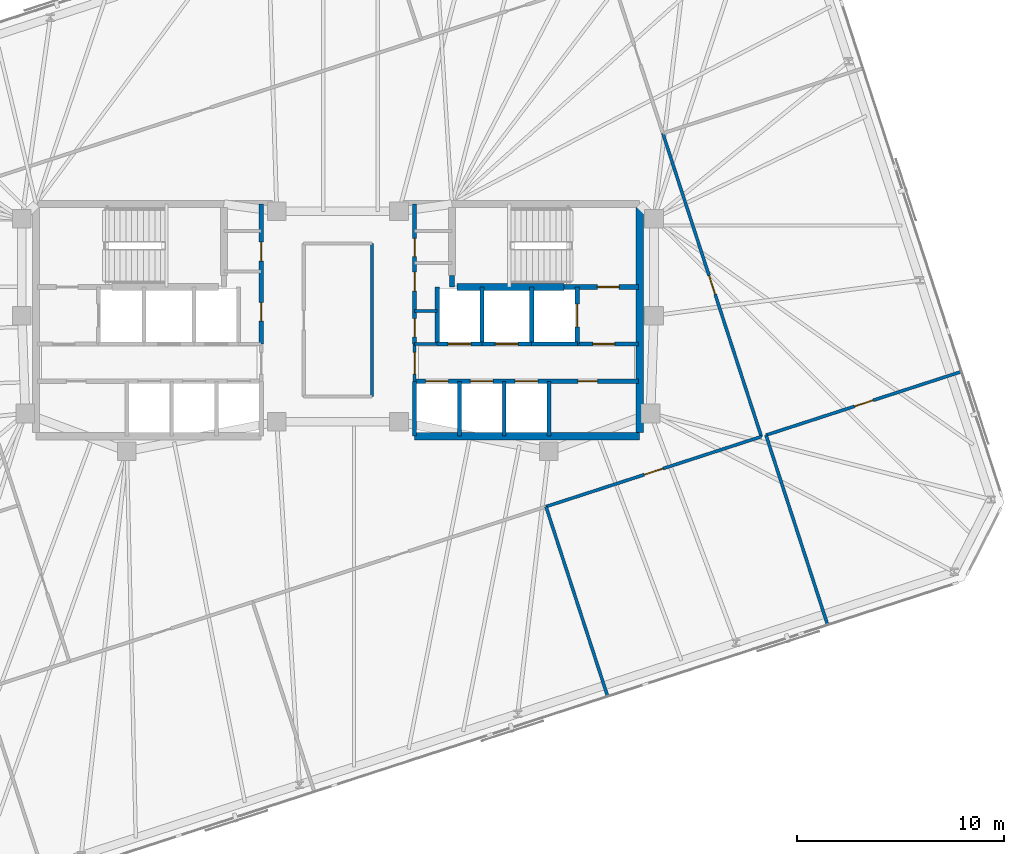
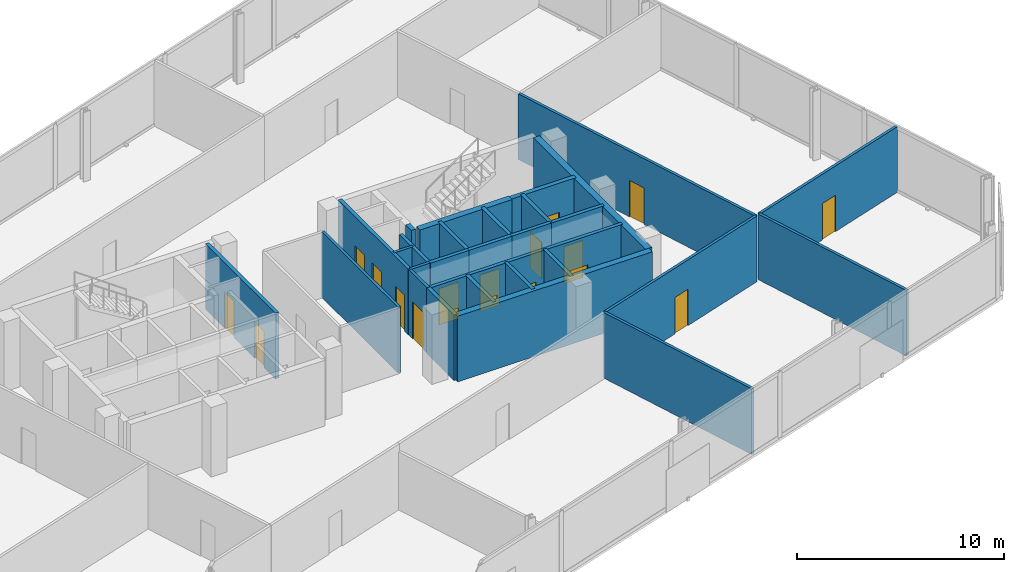
# One storey, part 11 of 14: 29 walls, 18 doors, 18 openings.
"""IFC4 building model written with IfcOpenShell, lengths in metres."""

from ifc_helpers import new_model, si_unit, direction, frame, frame_2d, origin, place, context, subcontext, project, spatial, rectangle, extrude, material, layer, layer_set, type_object, element, fill, save


model = new_model("IFC4")

# Units and contexts
model_context = context("Model", 3, precision=1e-05, world=origin(), true_north=direction((0.0, 1.0)))
body_context = subcontext(model_context, "Body", "Model", "MODEL_VIEW")
ifc_project = project(units=[si_unit("LENGTHUNIT", "METRE"), si_unit("AREAUNIT", "SQUARE_METRE"), si_unit("VOLUMEUNIT", "CUBIC_METRE"), si_unit("PLANEANGLEUNIT", "RADIAN"), si_unit("MASSUNIT", "GRAM", prefix="KILO")], contexts=[model_context])

# Site, building, storey
site_placement = place(None, origin())
site = spatial("IfcSite", under=ifc_project, at=site_placement, CompositionType="ELEMENT")
building_placement = place(site_placement, origin())
building = spatial("IfcBuilding", under=site, at=building_placement, Name="Menara Jurai Vektor", CompositionType="ELEMENT")
storey_placement = place(building_placement, frame((0.0, 0.0, 206.800048828125)))
storey = spatial("IfcBuildingStorey", under=building, at=storey_placement, Name="L54", CompositionType="ELEMENT", Elevation=206.800048828125)

# Wall, opening, door
ifc_material_1 = material(Name="Concrete C40/50", Category="concrete")
ifc_layer_1 = layer(ifc_material_1, 0.25)
ifc_layer_set_1 = layer_set([ifc_layer_1], Name="Concrete C40/50")
wall_type_1 = type_object("IfcWallType", Name="INT-WALL-CORE-250", PredefinedType="STANDARD", material=ifc_layer_set_1)
wall_1_placement = place(storey_placement, frame((10.89990234375, 1.60009765625, 0.0), z_axis=(0.0, 0.0, 1.0), x_axis=(1.0, 0.0, 0.0)))
wall_1 = element("IfcWall", 1, at=wall_1_placement, inside=storey, type_object=wall_type_1, Name="Interior Wall IW-250 L54", PredefinedType="STANDARD", context=body_context, shape_type="SweptSolid", body=[
    extrude(rectangle(XDim=3.60009765625, YDim=0.25, at=frame_2d((1.800048828125, 0.0))), origin(), (0.0, 0.0, 1.0), 3.875),
])
opening_1_placement = place(wall_1_placement, frame((1.6201171875, 0.0, 0.0)))
opening_1 = element("IfcOpeningElement", 2, at=opening_1_placement, cuts=wall_1, Name="Opening D-L54-ST2", PredefinedType="OPENING", context=body_context, shape_type="SweptSolid", body=[
    extrude(rectangle(XDim=1.050048828125, YDim=2.14990234375, at=frame_2d((0.52490234375, 1.074951171875))), frame((0.0, 0.135009765625, 0.0), z_axis=(0.0, -1.0, 0.0), x_axis=(1.0, 0.0, 0.0)), (0.0, 0.0, 1.0), 0.27001953125),
])
ifc_material_2 = material(Name="Fire-Rated Steel Door", Category="steel")
door_type_1 = type_object("IfcDoorType", Name="DR-STAIR-1050", OperationType="NOTDEFINED", PredefinedType="DOOR", material=ifc_material_2)
door_1_placement = place(opening_1_placement, origin())
door_1 = element("IfcDoor", 3, at=door_1_placement, inside=storey, type_object=door_type_1, Name="Exit Stair ST2 Door L54", OperationType="SINGLE_SWING_LEFT", OverallHeight=2.14990234375, OverallWidth=1.050048828125, PredefinedType="DOOR", context=body_context, shape_type="SweptSolid", body=[
    extrude(rectangle(XDim=1.050048828125, YDim=2.14990234375, at=frame_2d((0.52490234375, 1.074951171875))), frame((0.0, 0.02490234375, 0.0), z_axis=(0.0, -1.0, 0.0), x_axis=(1.0, 0.0, 0.0)), (0.0, 0.0, 1.0), 0.050048828125),
])
fill(opening_1, door_1)

# Wall
wall_2_placement = place(storey_placement, frame((5.5, 1.60009765625, 0.0), z_axis=(0.0, 0.0, 1.0), x_axis=(0.0, 1.0, 0.0)))
element("IfcWall", 4, at=wall_2_placement, inside=storey, type_object=wall_type_1, Name="Interior Wall IW-250 L54", PredefinedType="STANDARD", context=body_context, shape_type="SweptSolid", body=[
    extrude(rectangle(XDim=0.5498046875, YDim=0.25, at=frame_2d((0.27490234375, 0.0))), origin(), (0.0, 0.0, 1.0), 3.875),
])

# Wall, opening, door
wall_3_placement = place(storey_placement, frame((11.550048828125, -1.14990234375, 0.0), z_axis=(0.0, 0.0, 1.0), x_axis=(0.0, 1.0, 0.0)))
wall_3 = element("IfcWall", 5, at=wall_3_placement, inside=storey, type_object=wall_type_1, Name="Interior Wall IW-250 L54", PredefinedType="STANDARD", context=body_context, shape_type="SweptSolid", body=[
    extrude(rectangle(XDim=2.75, YDim=0.199951171875, at=frame_2d((1.375, 0.0))), origin(), (0.0, 0.0, 1.0), 3.875),
])
opening_2_placement = place(wall_3_placement, frame((0.824951171875, 0.0, 0.0)))
opening_2 = element("IfcOpeningElement", 6, at=opening_2_placement, cuts=wall_3, Name="Opening LD-L54-FL2", PredefinedType="OPENING", context=body_context, shape_type="SweptSolid", body=[
    extrude(rectangle(XDim=1.10009765625, YDim=2.14990234375, at=frame_2d((0.550048828125, 1.074951171875))), frame((0.0, 0.10986328125, 0.0), z_axis=(0.0, -1.0, 0.0), x_axis=(1.0, 0.0, 0.0)), (0.0, 0.0, 1.0), 0.219970703125),
])
ifc_material_3 = material(Name="Stainless Steel Sliding Lift Landing Door", Category="steel")
door_type_2 = type_object("IfcDoorType", Name="DR-LIFT-FIRE-1100", OperationType="NOTDEFINED", PredefinedType="DOOR", material=ifc_material_3)
door_2_placement = place(opening_2_placement, origin())
door_2 = element("IfcDoor", 7, at=door_2_placement, inside=storey, type_object=door_type_2, Name="Lift Landing Door FL2 L54", OperationType="SLIDING_TO_RIGHT", OverallHeight=2.14990234375, OverallWidth=1.10009765625, PredefinedType="DOOR", context=body_context, shape_type="SweptSolid", body=[
    extrude(rectangle(XDim=1.10009765625, YDim=2.14990234375, at=frame_2d((0.550048828125, 1.074951171875))), frame((0.0, 0.02490234375, 0.0), z_axis=(0.0, -1.0, 0.0), x_axis=(1.0, 0.0, 0.0)), (0.0, 0.0, 1.0), 0.050048828125),
])
fill(opening_2, door_2)

# Wall
wall_4_placement = place(storey_placement, frame((9.35009765625, -1.14990234375, 0.0), z_axis=(0.0, 0.0, 1.0), x_axis=(0.0, 1.0, 0.0)))
element("IfcWall", 8, at=wall_4_placement, inside=storey, type_object=wall_type_1, Name="Interior Wall IW-250 L54", PredefinedType="STANDARD", context=body_context, shape_type="SweptSolid", body=[
    extrude(rectangle(XDim=2.75, YDim=0.199951171875, at=frame_2d((1.375, 0.0))), origin(), (0.0, 0.0, 1.0), 3.875),
])

# Wall, opening, door
wall_5_placement = place(storey_placement, frame((11.550048828125, -1.14990234375, 0.0), z_axis=(0.0, 0.0, 1.0), x_axis=(1.0, 0.0, 0.0)))
wall_5 = element("IfcWall", 9, at=wall_5_placement, inside=storey, type_object=wall_type_1, Name="Interior Wall IW-250 L54", PredefinedType="STANDARD", context=body_context, shape_type="SweptSolid", body=[
    extrude(rectangle(XDim=2.949951171875, YDim=0.199951171875, at=frame_2d((1.47509765625, 0.0))), origin(), (0.0, 0.0, 1.0), 3.875),
])
opening_3_placement = place(wall_5_placement, frame((0.75, 0.0, 0.0)))
opening_3 = element("IfcOpeningElement", 10, at=opening_3_placement, cuts=wall_5, Name="Opening D-L54-FFE", PredefinedType="OPENING", context=body_context, shape_type="SweptSolid", body=[
    extrude(rectangle(XDim=1.050048828125, YDim=2.179931640625, at=frame_2d((0.52490234375, 1.08984375))), frame((0.0, 0.10986328125, 0.0), z_axis=(0.0, -1.0, 0.0), x_axis=(1.0, 0.0, 0.0)), (0.0, 0.0, 1.0), 0.219970703125),
])
ifc_material_4 = material(Name="Fire-Rated Timber Door", Category="wood")
door_type_3 = type_object("IfcDoorType", Name="DR-LOBBY-1050", OperationType="NOTDEFINED", PredefinedType="DOOR", material=ifc_material_4)
door_3_placement = place(opening_3_placement, origin())
door_3 = element("IfcDoor", 11, at=door_3_placement, inside=storey, type_object=door_type_3, Name="Fire Lift Lobby Door E L54", OperationType="SINGLE_SWING_LEFT", OverallHeight=2.179931640625, OverallWidth=1.050048828125, PredefinedType="DOOR", context=body_context, shape_type="SweptSolid", body=[
    extrude(rectangle(XDim=1.050048828125, YDim=2.179931640625, at=frame_2d((0.52490234375, 1.08984375))), frame((0.0, 0.02490234375, 0.0), z_axis=(0.0, -1.0, 0.0), x_axis=(1.0, 0.0, 0.0)), (0.0, 0.0, 1.0), 0.050048828125),
])
fill(opening_3, door_3)

# Wall
wall_6_placement = place(storey_placement, frame((9.35009765625, -1.14990234375, 0.0), z_axis=(0.0, 0.0, 1.0), x_axis=(1.0, 0.0, 0.0)))
element("IfcWall", 12, at=wall_6_placement, inside=storey, type_object=wall_type_1, Name="Interior Wall IW-250 L54", PredefinedType="STANDARD", context=body_context, shape_type="SweptSolid", body=[
    extrude(rectangle(XDim=2.199951171875, YDim=0.199951171875, at=frame_2d((1.10009765625, 0.0))), origin(), (0.0, 0.0, 1.0), 3.875),
])

# Wall, opening, door
ifc_material_5 = material(Name="Gypsum Fireboard Partition", Category="gypsum")
ifc_layer_2 = layer(ifc_material_5, 0.14990234375)
ifc_layer_set_2 = layer_set([ifc_layer_2], Name="Gypsum Fireboard Partition")
wall_type_2 = type_object("IfcWallType", Name="INT-WALL-CORR-150", PredefinedType="PARTITIONING", material=ifc_layer_set_2)
wall_7_placement = place(storey_placement, frame((3.699951171875, -2.949951171875, 0.0), z_axis=(0.0, 0.0, 1.0), x_axis=(0.0, 1.0, 0.0)))
wall_7 = element("IfcWall", 13, at=wall_7_placement, inside=storey, type_object=wall_type_2, Name="Interior Wall IW-150 L54", PredefinedType="PARTITIONING", context=body_context, shape_type="SweptSolid", body=[
    extrude(rectangle(XDim=1.800048828125, YDim=0.14990234375, at=frame_2d((0.89990234375, 0.0))), origin(), (0.0, 0.0, 1.0), 3.875),
])
opening_4_placement = place(wall_7_placement, frame((0.35009765625, 0.0, 0.0)))
opening_4 = element("IfcOpeningElement", 14, at=opening_4_placement, cuts=wall_7, Name="Opening D-L54-LLE", PredefinedType="OPENING", context=body_context, shape_type="SweptSolid", body=[
    extrude(rectangle(XDim=1.050048828125, YDim=2.179931640625, at=frame_2d((0.52490234375, 1.08984375))), frame((0.0, 0.0849609375, 0.0), z_axis=(0.0, -1.0, 0.0), x_axis=(1.0, 0.0, 0.0)), (0.0, 0.0, 1.0), 0.169921875),
])
door_4_placement = place(opening_4_placement, frame((1.050048828125, 0.0, 0.0), z_axis=(0.0, 0.0, 1.0), x_axis=(-1.0, 0.0, 0.0)))
door_4 = element("IfcDoor", 15, at=door_4_placement, inside=storey, type_object=door_type_3, Name="Lift Lobby Corridor Door E L54", OperationType="SINGLE_SWING_RIGHT", OverallHeight=2.179931640625, OverallWidth=1.050048828125, PredefinedType="DOOR", context=body_context, shape_type="SweptSolid", body=[
    extrude(rectangle(XDim=1.050048828125, YDim=2.179931640625, at=frame_2d((0.52490234375, 1.08984375))), frame((0.0, 0.02490234375, 0.0), z_axis=(0.0, -1.0, 0.0), x_axis=(1.0, 0.0, 0.0)), (0.0, 0.0, 1.0), 0.050048828125),
])
fill(opening_4, door_4)

# Walls
for number, where, z_axis, x_axis, name in (
    (16, (3.699951171875, -1.14990234375, 0.0), (0.0, 0.0, 1.0), (1.0, 0.0, 0.0), "Interior Wall IW-150 L54"),
    (17, (3.699951171875, 0.449951171875, 0.0), (0.0, 0.0, 1.0), (1.0, 0.0, 0.0), "Interior Wall IW-150 L54"),
):
    element("IfcWall", number, at=place(storey_placement, frame(where, z_axis=z_axis, x_axis=x_axis)), inside=storey, type_object=wall_type_2, Name=name, PredefinedType="PARTITIONING", context=body_context, shape_type="SweptSolid", body=[
        extrude(rectangle(XDim=1.090087890625, YDim=0.14990234375, at=frame_2d((0.544921875, 0.0))), origin(), (0.0, 0.0, 1.0), 3.875),
    ])
wall_8_placement = place(storey_placement, frame((1.650390625, -3.689453125, 0.0), z_axis=(0.0, 0.0, 1.0), x_axis=(-6.6170389e-05, 0.999999997811, 0.0)))
element("IfcWall", 18, at=wall_8_placement, inside=storey, type_object=wall_type_2, Name="Interior Wall IW-150 L54", PredefinedType="PARTITIONING", context=body_context, shape_type="SweptSolid", body=[
    extrude(rectangle(XDim=7.379150390625, YDim=0.14990234375, at=frame_2d((3.689453125, 0.0))), origin(), (0.0, 0.0, 1.0), 3.875),
])

# Wall, opening, door
wall_9_placement = place(storey_placement, frame((10.038330078125, -8.9951171875, 0.0), z_axis=(0.0, 0.0, 1.0), x_axis=(0.951055575401, 0.309019890135, 0.0)))
wall_9 = element("IfcWall", 19, at=wall_9_placement, inside=storey, type_object=wall_type_2, Name="Interior Wall IW-150 L54", PredefinedType="PARTITIONING", context=body_context, shape_type="SweptSolid", body=[
    extrude(rectangle(XDim=10.92724609375, YDim=0.14990234375, at=frame_2d((5.463623046875, 0.0))), origin(), (0.0, 0.0, 1.0), 3.875),
])
opening_5_placement = place(wall_9_placement, frame((4.988525390625, 0.0, 0.0)))
opening_5 = element("IfcOpeningElement", 20, at=opening_5_placement, cuts=wall_9, Name="Opening D54-14", PredefinedType="OPENING", context=body_context, shape_type="SweptSolid", body=[
    extrude(rectangle(XDim=0.949951171875, YDim=2.14990234375, at=frame_2d((0.47509765625, 1.074951171875))), frame((0.0, 0.0849609375, 0.0), z_axis=(0.0, -1.0, 0.0), x_axis=(1.0, 0.0, 0.0)), (0.0, 0.0, 1.0), 0.169921875),
])
ifc_material_6 = material(Name="Solid Core Timber Fire Door", Category="wood")
door_type_4 = type_object("IfcDoorType", Name="DR-ENTRY-950", OperationType="NOTDEFINED", PredefinedType="DOOR", material=ifc_material_6)
door_5_placement = place(opening_5_placement, origin())
door_5 = element("IfcDoor", 21, at=door_5_placement, inside=storey, type_object=door_type_4, Name="Interior Door D54-14", OperationType="SINGLE_SWING_LEFT", OverallHeight=2.14990234375, OverallWidth=0.949951171875, PredefinedType="DOOR", context=body_context, shape_type="SweptSolid", body=[
    extrude(rectangle(XDim=0.949951171875, YDim=2.14990234375, at=frame_2d((0.47509765625, 1.074951171875))), frame((0.0, 0.02490234375, 0.0), z_axis=(0.0, -1.0, 0.0), x_axis=(1.0, 0.0, 0.0)), (0.0, 0.0, 1.0), 0.050048828125),
])
fill(opening_5, door_5)

wall_10_placement = place(storey_placement, frame((20.4306640625, -5.618408203125, 0.0), z_axis=(0.0, 0.0, 1.0), x_axis=(-0.309021492288, 0.951055054823, 0.0)))
wall_10 = element("IfcWall", 22, at=wall_10_placement, inside=storey, type_object=wall_type_2, Name="Interior Wall IW-150 L54", PredefinedType="PARTITIONING", context=body_context, shape_type="SweptSolid", body=[
    extrude(rectangle(XDim=15.386962890625, YDim=0.14990234375, at=frame_2d((7.693359375, 0.0))), origin(), (0.0, 0.0, 1.0), 3.875),
])
opening_6_placement = place(wall_10_placement, frame((7.218505859375, 0.0, 0.0)))
opening_6 = element("IfcOpeningElement", 23, at=opening_6_placement, cuts=wall_10, Name="Opening D54-17", PredefinedType="OPENING", context=body_context, shape_type="SweptSolid", body=[
    extrude(rectangle(XDim=0.949951171875, YDim=2.14990234375, at=frame_2d((0.47509765625, 1.074951171875))), frame((0.0, 0.0849609375, 0.0), z_axis=(0.0, -1.0, 0.0), x_axis=(1.0, 0.0, 0.0)), (0.0, 0.0, 1.0), 0.169921875),
])
door_6_placement = place(opening_6_placement, origin())
door_6 = element("IfcDoor", 24, at=door_6_placement, inside=storey, type_object=door_type_4, Name="Interior Door D54-17", OperationType="SINGLE_SWING_RIGHT", OverallHeight=2.14990234375, OverallWidth=0.949951171875, PredefinedType="DOOR", context=body_context, shape_type="SweptSolid", body=[
    extrude(rectangle(XDim=0.949951171875, YDim=2.14990234375, at=frame_2d((0.47509765625, 1.074951171875))), frame((0.0, 0.02490234375, 0.0), z_axis=(0.0, -1.0, 0.0), x_axis=(1.0, 0.0, 0.0)), (0.0, 0.0, 1.0), 0.050048828125),
])
fill(opening_6, door_6)

# Walls
for number, where, z_axis, x_axis, name in (
    (25, (13.014892578125, -18.15576171875, 0.0), (0.0, 0.0, 1.0), (-0.309025320189, 0.951053811034, 0.0), "Interior Wall IW-150 L54"),
    (26, (23.628662109375, -14.70703125, 0.0), (0.0, 0.0, 1.0), (-0.309025320189, 0.951053811034, 0.0), "Interior Wall IW-150 L54"),
):
    element("IfcWall", number, at=place(storey_placement, frame(where, z_axis=z_axis, x_axis=x_axis)), inside=storey, type_object=wall_type_2, Name=name, PredefinedType="PARTITIONING", context=body_context, shape_type="SweptSolid", body=[
        extrude(rectangle(XDim=9.632080078125, YDim=0.14990234375, at=frame_2d((4.81591796875, 0.0))), origin(), (0.0, 0.0, 1.0), 3.875),
    ])

# Wall, opening, door
wall_11_placement = place(storey_placement, frame((20.652099609375, -5.54638671875, 0.0), z_axis=(0.0, 0.0, 1.0), x_axis=(0.951057939298, 0.309012614787, 0.0)))
wall_11 = element("IfcWall", 27, at=wall_11_placement, inside=storey, type_object=wall_type_2, Name="Interior Wall IW-150 L54", PredefinedType="PARTITIONING", context=body_context, shape_type="SweptSolid", body=[
    extrude(rectangle(XDim=9.920166015625, YDim=0.14990234375, at=frame_2d((4.9599609375, 0.0))), origin(), (0.0, 0.0, 1.0), 3.875),
])
opening_7_placement = place(wall_11_placement, frame((4.485107421875, 0.0, 0.0)))
opening_7 = element("IfcOpeningElement", 28, at=opening_7_placement, cuts=wall_11, Name="Opening D54-20", PredefinedType="OPENING", context=body_context, shape_type="SweptSolid", body=[
    extrude(rectangle(XDim=0.949951171875, YDim=2.14990234375, at=frame_2d((0.47509765625, 1.074951171875))), frame((0.0, 0.0849609375, 0.0), z_axis=(0.0, -1.0, 0.0), x_axis=(1.0, 0.0, 0.0)), (0.0, 0.0, 1.0), 0.169921875),
])
door_7_placement = place(opening_7_placement, origin())
door_7 = element("IfcDoor", 29, at=door_7_placement, inside=storey, type_object=door_type_4, Name="Interior Door D54-20", OperationType="SINGLE_SWING_LEFT", OverallHeight=2.14990234375, OverallWidth=0.949951171875, PredefinedType="DOOR", context=body_context, shape_type="SweptSolid", body=[
    extrude(rectangle(XDim=0.949951171875, YDim=2.14990234375, at=frame_2d((0.47509765625, 1.074951171875))), frame((0.0, 0.02490234375, 0.0), z_axis=(0.0, -1.0, 0.0), x_axis=(1.0, 0.0, 0.0)), (0.0, 0.0, 1.0), 0.050048828125),
])
fill(opening_7, door_7)

# Wall, openings, doors
ifc_layer_3 = layer(ifc_material_1, 0.199951171875)
ifc_layer_set_3 = layer_set([ifc_layer_3], Name="Concrete C40/50")
wall_type_3 = type_object("IfcWallType", Name="INT-WALL-SHAFT-200", PredefinedType="STANDARD", material=ifc_layer_set_3)
wall_12_placement = place(storey_placement, frame((-3.699951171875, -1.14990234375, 0.0), z_axis=(0.0, 0.0, 1.0), x_axis=(0.0, 1.0, 0.0)))
wall_12 = element("IfcWall", 30, at=wall_12_placement, inside=storey, type_object=wall_type_3, Name="Interior Wall IW-200 L54", PredefinedType="STANDARD", context=body_context, shape_type="SweptSolid", body=[
    extrude(rectangle(XDim=6.75, YDim=0.199951171875, at=frame_2d((3.375, 0.0))), origin(), (0.0, 0.0, 1.0), 3.875),
])
opening_8_placement = place(wall_12_placement, frame((1.10009765625, 0.0, 0.0)))
opening_8 = element("IfcOpeningElement", 31, at=opening_8_placement, cuts=wall_12, Name="Opening D54-02", PredefinedType="OPENING", context=body_context, shape_type="SweptSolid", body=[
    extrude(rectangle(XDim=0.89990234375, YDim=2.14990234375, at=frame_2d((0.449951171875, 1.074951171875))), frame((0.0, 0.10986328125, 0.0), z_axis=(0.0, -1.0, 0.0), x_axis=(1.0, 0.0, 0.0)), (0.0, 0.0, 1.0), 0.219970703125),
])
opening_9_placement = place(wall_12_placement, frame((4.0, 0.0, 0.0)))
opening_9 = element("IfcOpeningElement", 32, at=opening_9_placement, cuts=wall_12, Name="Opening D54-03", PredefinedType="OPENING", context=body_context, shape_type="SweptSolid", body=[
    extrude(rectangle(XDim=0.919921875, YDim=2.14990234375, at=frame_2d((0.4599609375, 1.074951171875))), frame((0.0, 0.10986328125, 0.0), z_axis=(0.0, -1.0, 0.0), x_axis=(1.0, 0.0, 0.0)), (0.0, 0.0, 1.0), 0.219970703125),
])
door_8_placement = place(opening_8_placement, origin())
door_8 = element("IfcDoor", 33, at=door_8_placement, inside=storey, type_object=door_type_4, Name="Interior Door D54-02", OperationType="SINGLE_SWING_LEFT", OverallHeight=2.14990234375, OverallWidth=0.89990234375, PredefinedType="DOOR", context=body_context, shape_type="SweptSolid", body=[
    extrude(rectangle(XDim=0.89990234375, YDim=2.14990234375, at=frame_2d((0.449951171875, 1.074951171875))), frame((0.0, 0.02490234375, 0.0), z_axis=(0.0, -1.0, 0.0), x_axis=(1.0, 0.0, 0.0)), (0.0, 0.0, 1.0), 0.050048828125),
])
fill(opening_8, door_8)
door_9_placement = place(opening_9_placement, origin())
door_9 = element("IfcDoor", 34, at=door_9_placement, inside=storey, type_object=door_type_4, Name="Interior Door D54-03", OperationType="SINGLE_SWING_LEFT", OverallHeight=2.14990234375, OverallWidth=0.919921875, PredefinedType="DOOR", context=body_context, shape_type="SweptSolid", body=[
    extrude(rectangle(XDim=0.919921875, YDim=2.14990234375, at=frame_2d((0.4599609375, 1.074951171875))), frame((0.0, 0.02490234375, 0.0), z_axis=(0.0, -1.0, 0.0), x_axis=(1.0, 0.0, 0.0)), (0.0, 0.0, 1.0), 0.050048828125),
])
fill(opening_9, door_9)

wall_13_placement = place(storey_placement, frame((3.699951171875, -1.14990234375, 0.0), z_axis=(0.0, 0.0, 1.0), x_axis=(0.0, 1.0, 0.0)))
wall_13 = element("IfcWall", 35, at=wall_13_placement, inside=storey, type_object=wall_type_3, Name="Interior Wall IW-200 L54", PredefinedType="STANDARD", context=body_context, shape_type="SweptSolid", body=[
    extrude(rectangle(XDim=6.75, YDim=0.199951171875, at=frame_2d((3.375, 0.0))), origin(), (0.0, 0.0, 1.0), 3.875),
])
opening_10_placement = place(wall_13_placement, frame((0.35009765625, 0.0, 0.0)))
opening_10 = element("IfcOpeningElement", 36, at=opening_10_placement, cuts=wall_13, Name="Opening D54-05", PredefinedType="OPENING", context=body_context, shape_type="SweptSolid", body=[
    extrude(rectangle(XDim=0.8798828125, YDim=2.14990234375, at=frame_2d((0.43994140625, 1.074951171875))), frame((0.0, 0.10986328125, 0.0), z_axis=(0.0, -1.0, 0.0), x_axis=(1.0, 0.0, 0.0)), (0.0, 0.0, 1.0), 0.219970703125),
])
opening_11_placement = place(wall_13_placement, frame((2.550048828125, 0.0, 0.0)))
opening_11 = element("IfcOpeningElement", 37, at=opening_11_placement, cuts=wall_13, Name="Opening D54-06", PredefinedType="OPENING", context=body_context, shape_type="SweptSolid", body=[
    extrude(rectangle(XDim=0.919921875, YDim=2.14990234375, at=frame_2d((0.4599609375, 1.074951171875))), frame((0.0, 0.10986328125, 0.0), z_axis=(0.0, -1.0, 0.0), x_axis=(1.0, 0.0, 0.0)), (0.0, 0.0, 1.0), 0.219970703125),
])
opening_12_placement = place(wall_13_placement, frame((4.219970703125, 0.0, 0.0)))
opening_12 = element("IfcOpeningElement", 38, at=opening_12_placement, cuts=wall_13, Name="Opening D54-07", PredefinedType="OPENING", context=body_context, shape_type="SweptSolid", body=[
    extrude(rectangle(XDim=0.8798828125, YDim=2.14990234375, at=frame_2d((0.43994140625, 1.074951171875))), frame((0.0, 0.10986328125, 0.0), z_axis=(0.0, -1.0, 0.0), x_axis=(1.0, 0.0, 0.0)), (0.0, 0.0, 1.0), 0.219970703125),
])
door_10_placement = place(opening_10_placement, origin())
door_10 = element("IfcDoor", 39, at=door_10_placement, inside=storey, type_object=door_type_4, Name="Interior Door D54-05", OperationType="SINGLE_SWING_RIGHT", OverallHeight=2.14990234375, OverallWidth=0.8798828125, PredefinedType="DOOR", context=body_context, shape_type="SweptSolid", body=[
    extrude(rectangle(XDim=0.8798828125, YDim=2.14990234375, at=frame_2d((0.43994140625, 1.074951171875))), frame((0.0, 0.02490234375, 0.0), z_axis=(0.0, -1.0, 0.0), x_axis=(1.0, 0.0, 0.0)), (0.0, 0.0, 1.0), 0.050048828125),
])
fill(opening_10, door_10)
door_11_placement = place(opening_11_placement, origin())
door_11 = element("IfcDoor", 40, at=door_11_placement, inside=storey, type_object=door_type_4, Name="Interior Door D54-06", OperationType="SINGLE_SWING_RIGHT", OverallHeight=2.14990234375, OverallWidth=0.919921875, PredefinedType="DOOR", context=body_context, shape_type="SweptSolid", body=[
    extrude(rectangle(XDim=0.919921875, YDim=2.14990234375, at=frame_2d((0.4599609375, 1.074951171875))), frame((0.0, 0.02490234375, 0.0), z_axis=(0.0, -1.0, 0.0), x_axis=(1.0, 0.0, 0.0)), (0.0, 0.0, 1.0), 0.050048828125),
])
fill(opening_11, door_11)
door_12_placement = place(opening_12_placement, origin())
door_12 = element("IfcDoor", 41, at=door_12_placement, inside=storey, type_object=door_type_4, Name="Interior Door D54-07", OperationType="SINGLE_SWING_RIGHT", OverallHeight=2.14990234375, OverallWidth=0.8798828125, PredefinedType="DOOR", context=body_context, shape_type="SweptSolid", body=[
    extrude(rectangle(XDim=0.8798828125, YDim=2.14990234375, at=frame_2d((0.43994140625, 1.074951171875))), frame((0.0, 0.02490234375, 0.0), z_axis=(0.0, -1.0, 0.0), x_axis=(1.0, 0.0, 0.0)), (0.0, 0.0, 1.0), 0.050048828125),
])
fill(opening_12, door_12)

# Walls
wall_14_placement = place(storey_placement, frame((3.699951171875, -5.60009765625, 0.0), z_axis=(0.0, 0.0, 1.0), x_axis=(0.0, 1.0, 0.0)))
element("IfcWall", 42, at=wall_14_placement, inside=storey, type_object=wall_type_3, Name="Interior Wall IW-200 L54", PredefinedType="STANDARD", context=body_context, shape_type="SweptSolid", body=[
    extrude(rectangle(XDim=2.650146484375, YDim=0.199951171875, at=frame_2d((1.3251953125, 0.0))), origin(), (0.0, 0.0, 1.0), 3.875),
])
wall_15_placement = place(storey_placement, frame((6.949951171875, -1.14990234375, 0.0), z_axis=(0.0, 0.0, 1.0), x_axis=(0.0, 1.0, 0.0)))
element("IfcWall", 43, at=wall_15_placement, inside=storey, type_object=wall_type_3, Name="Interior Wall IW-200 L54", PredefinedType="STANDARD", context=body_context, shape_type="SweptSolid", body=[
    extrude(rectangle(XDim=2.75, YDim=0.199951171875, at=frame_2d((1.375, 0.0))), origin(), (0.0, 0.0, 1.0), 3.875),
])

# Wall, opening, door
wall_16_placement = place(storey_placement, frame((6.949951171875, -1.14990234375, 0.0), z_axis=(0.0, 0.0, 1.0), x_axis=(1.0, 0.0, 0.0)))
wall_16 = element("IfcWall", 44, at=wall_16_placement, inside=storey, type_object=wall_type_3, Name="Interior Wall IW-200 L54", PredefinedType="STANDARD", context=body_context, shape_type="SweptSolid", body=[
    extrude(rectangle(XDim=2.400146484375, YDim=0.199951171875, at=frame_2d((1.2001953125, 0.0))), origin(), (0.0, 0.0, 1.0), 3.875),
])
opening_13_placement = place(wall_16_placement, frame((0.64990234375, 0.0, 0.0)))
opening_13 = element("IfcOpeningElement", 45, at=opening_13_placement, cuts=wall_16, Name="Opening LD-L54-SVL2", PredefinedType="OPENING", context=body_context, shape_type="SweptSolid", body=[
    extrude(rectangle(XDim=1.10009765625, YDim=2.14990234375, at=frame_2d((0.550048828125, 1.074951171875))), frame((0.0, 0.10986328125, 0.0), z_axis=(0.0, -1.0, 0.0), x_axis=(1.0, 0.0, 0.0)), (0.0, 0.0, 1.0), 0.219970703125),
])
ifc_material_7 = material(Name="Anodised Stainless Sliding Lift Landing Door", Category="steel")
door_type_5 = type_object("IfcDoorType", Name="DR-LIFT-PASS-1100", OperationType="NOTDEFINED", PredefinedType="DOOR", material=ifc_material_7)
door_13_placement = place(opening_13_placement, origin())
door_13 = element("IfcDoor", 46, at=door_13_placement, inside=storey, type_object=door_type_5, Name="Lift Landing Door SVL2 L54", OperationType="SLIDING_TO_RIGHT", OverallHeight=2.14990234375, OverallWidth=1.10009765625, PredefinedType="DOOR", context=body_context, shape_type="SweptSolid", body=[
    extrude(rectangle(XDim=1.10009765625, YDim=2.14990234375, at=frame_2d((0.550048828125, 1.074951171875))), frame((0.0, 0.02490234375, 0.0), z_axis=(0.0, -1.0, 0.0), x_axis=(1.0, 0.0, 0.0)), (0.0, 0.0, 1.0), 0.050048828125),
])
fill(opening_13, door_13)

# Wall
wall_17_placement = place(storey_placement, frame((4.7900390625, -1.14990234375, 0.0), z_axis=(0.0, 0.0, 1.0), x_axis=(0.0, 1.0, 0.0)))
element("IfcWall", 47, at=wall_17_placement, inside=storey, type_object=wall_type_3, Name="Interior Wall IW-200 L54", PredefinedType="STANDARD", context=body_context, shape_type="SweptSolid", body=[
    extrude(rectangle(XDim=2.75, YDim=0.199951171875, at=frame_2d((1.375, 0.0))), origin(), (0.0, 0.0, 1.0), 3.875),
])

# Wall, opening, door
wall_18_placement = place(storey_placement, frame((4.7900390625, -1.14990234375, 0.0), z_axis=(0.0, 0.0, 1.0), x_axis=(1.0, 0.0, 0.0)))
wall_18 = element("IfcWall", 48, at=wall_18_placement, inside=storey, type_object=wall_type_3, Name="Interior Wall IW-200 L54", PredefinedType="STANDARD", context=body_context, shape_type="SweptSolid", body=[
    extrude(rectangle(XDim=2.159912109375, YDim=0.199951171875, at=frame_2d((1.080078125, 0.0))), origin(), (0.0, 0.0, 1.0), 3.875),
])
opening_14_placement = place(wall_18_placement, frame((0.530029296875, 0.0, 0.0)))
opening_14 = element("IfcOpeningElement", 49, at=opening_14_placement, cuts=wall_18, Name="Opening LD-L54-PH4", PredefinedType="OPENING", context=body_context, shape_type="SweptSolid", body=[
    extrude(rectangle(XDim=1.10009765625, YDim=2.14990234375, at=frame_2d((0.550048828125, 1.074951171875))), frame((0.0, 0.10986328125, 0.0), z_axis=(0.0, -1.0, 0.0), x_axis=(1.0, 0.0, 0.0)), (0.0, 0.0, 1.0), 0.219970703125),
])
door_14_placement = place(opening_14_placement, origin())
door_14 = element("IfcDoor", 50, at=door_14_placement, inside=storey, type_object=door_type_5, Name="Lift Landing Door PH4 L54", OperationType="SLIDING_TO_LEFT", OverallHeight=2.14990234375, OverallWidth=1.10009765625, PredefinedType="DOOR", context=body_context, shape_type="SweptSolid", body=[
    extrude(rectangle(XDim=1.10009765625, YDim=2.14990234375, at=frame_2d((0.550048828125, 1.074951171875))), frame((0.0, 0.02490234375, 0.0), z_axis=(0.0, -1.0, 0.0), x_axis=(1.0, 0.0, 0.0)), (0.0, 0.0, 1.0), 0.050048828125),
])
fill(opening_14, door_14)

# Wall, openings, doors
wall_19_placement = place(storey_placement, frame((3.699951171875, -2.949951171875, 0.0), z_axis=(0.0, 0.0, 1.0), x_axis=(1.0, 0.0, 0.0)))
wall_19 = element("IfcWall", 51, at=wall_19_placement, inside=storey, type_object=wall_type_3, Name="Interior Wall IW-200 L54", PredefinedType="STANDARD", context=body_context, shape_type="SweptSolid", body=[
    extrude(rectangle(XDim=10.800048828125, YDim=0.199951171875, at=frame_2d((5.39990234375, 0.0))), origin(), (0.0, 0.0, 1.0), 3.875),
])
opening_15_placement = place(wall_19_placement, frame((0.530029296875, 0.0, 0.0)))
opening_15 = element("IfcOpeningElement", 52, at=opening_15_placement, cuts=wall_19, Name="Opening LD-L54-PH3", PredefinedType="OPENING", context=body_context, shape_type="SweptSolid", body=[
    extrude(rectangle(XDim=1.10009765625, YDim=2.14990234375, at=frame_2d((0.550048828125, 1.074951171875))), frame((0.0, 0.10986328125, 0.0), z_axis=(0.0, -1.0, 0.0), x_axis=(1.0, 0.0, 0.0)), (0.0, 0.0, 1.0), 0.219970703125),
])
opening_16_placement = place(wall_19_placement, frame((2.68994140625, 0.0, 0.0)))
opening_16 = element("IfcOpeningElement", 53, at=opening_16_placement, cuts=wall_19, Name="Opening LD-L54-PM3", PredefinedType="OPENING", context=body_context, shape_type="SweptSolid", body=[
    extrude(rectangle(XDim=1.10009765625, YDim=2.14990234375, at=frame_2d((0.550048828125, 1.074951171875))), frame((0.0, 0.10986328125, 0.0), z_axis=(0.0, -1.0, 0.0), x_axis=(1.0, 0.0, 0.0)), (0.0, 0.0, 1.0), 0.219970703125),
])
opening_17_placement = place(wall_19_placement, frame((4.85009765625, 0.0, 0.0)))
opening_17 = element("IfcOpeningElement", 54, at=opening_17_placement, cuts=wall_19, Name="Opening LD-L54-PM4", PredefinedType="OPENING", context=body_context, shape_type="SweptSolid", body=[
    extrude(rectangle(XDim=1.10009765625, YDim=2.14990234375, at=frame_2d((0.550048828125, 1.074951171875))), frame((0.0, 0.10986328125, 0.0), z_axis=(0.0, -1.0, 0.0), x_axis=(1.0, 0.0, 0.0)), (0.0, 0.0, 1.0), 0.219970703125),
])
opening_18_placement = place(wall_19_placement, frame((7.8798828125, 0.0, 0.0)))
opening_18 = element("IfcOpeningElement", 55, at=opening_18_placement, cuts=wall_19, Name="Opening D54-04", PredefinedType="OPENING", context=body_context, shape_type="SweptSolid", body=[
    extrude(rectangle(XDim=0.949951171875, YDim=2.14990234375, at=frame_2d((0.47509765625, 1.074951171875))), frame((0.0, 0.10986328125, 0.0), z_axis=(0.0, -1.0, 0.0), x_axis=(1.0, 0.0, 0.0)), (0.0, 0.0, 1.0), 0.219970703125),
])
door_15_placement = place(opening_18_placement, origin())
door_15 = element("IfcDoor", 56, at=door_15_placement, inside=storey, type_object=door_type_4, Name="Interior Door D54-04", OperationType="SINGLE_SWING_LEFT", OverallHeight=2.14990234375, OverallWidth=0.949951171875, PredefinedType="DOOR", context=body_context, shape_type="SweptSolid", body=[
    extrude(rectangle(XDim=0.949951171875, YDim=2.14990234375, at=frame_2d((0.47509765625, 1.074951171875))), frame((0.0, 0.02490234375, 0.0), z_axis=(0.0, -1.0, 0.0), x_axis=(1.0, 0.0, 0.0)), (0.0, 0.0, 1.0), 0.050048828125),
])
fill(opening_18, door_15)
door_16_placement = place(opening_15_placement, origin())
door_16 = element("IfcDoor", 57, at=door_16_placement, inside=storey, type_object=door_type_5, Name="Lift Landing Door PH3 L54", OperationType="SLIDING_TO_RIGHT", OverallHeight=2.14990234375, OverallWidth=1.10009765625, PredefinedType="DOOR", context=body_context, shape_type="SweptSolid", body=[
    extrude(rectangle(XDim=1.10009765625, YDim=2.14990234375, at=frame_2d((0.550048828125, 1.074951171875))), frame((0.0, 0.02490234375, 0.0), z_axis=(0.0, -1.0, 0.0), x_axis=(1.0, 0.0, 0.0)), (0.0, 0.0, 1.0), 0.050048828125),
])
fill(opening_15, door_16)
door_17_placement = place(opening_16_placement, origin())
door_17 = element("IfcDoor", 58, at=door_17_placement, inside=storey, type_object=door_type_5, Name="Lift Landing Door PM3 L54", OperationType="SLIDING_TO_LEFT", OverallHeight=2.14990234375, OverallWidth=1.10009765625, PredefinedType="DOOR", context=body_context, shape_type="SweptSolid", body=[
    extrude(rectangle(XDim=1.10009765625, YDim=2.14990234375, at=frame_2d((0.550048828125, 1.074951171875))), frame((0.0, 0.02490234375, 0.0), z_axis=(0.0, -1.0, 0.0), x_axis=(1.0, 0.0, 0.0)), (0.0, 0.0, 1.0), 0.050048828125),
])
fill(opening_16, door_17)
door_18_placement = place(opening_17_placement, origin())
door_18 = element("IfcDoor", 59, at=door_18_placement, inside=storey, type_object=door_type_5, Name="Lift Landing Door PM4 L54", OperationType="SLIDING_TO_RIGHT", OverallHeight=2.14990234375, OverallWidth=1.10009765625, PredefinedType="DOOR", context=body_context, shape_type="SweptSolid", body=[
    extrude(rectangle(XDim=1.10009765625, YDim=2.14990234375, at=frame_2d((0.550048828125, 1.074951171875))), frame((0.0, 0.02490234375, 0.0), z_axis=(0.0, -1.0, 0.0), x_axis=(1.0, 0.0, 0.0)), (0.0, 0.0, 1.0), 0.050048828125),
])
fill(opening_17, door_18)

# Walls
wall_20_placement = place(storey_placement, frame((5.860107421875, -5.60009765625, 0.0), z_axis=(0.0, 0.0, 1.0), x_axis=(0.0, 1.0, 0.0)))
element("IfcWall", 60, at=wall_20_placement, inside=storey, type_object=wall_type_3, Name="Interior Wall IW-200 L54", PredefinedType="STANDARD", context=body_context, shape_type="SweptSolid", body=[
    extrude(rectangle(XDim=2.650146484375, YDim=0.199951171875, at=frame_2d((1.3251953125, 0.0))), origin(), (0.0, 0.0, 1.0), 3.875),
])
for number, where, z_axis, x_axis, name in (
    (61, (10.179931640625, -5.60009765625, 0.0), (0.0, 0.0, 1.0), (0.0, 1.0, 0.0), "Interior Wall IW-200 L54"),
    (62, (8.02001953125, -5.60009765625, 0.0), (0.0, 0.0, 1.0), (0.0, 1.0, 0.0), "Interior Wall IW-200 L54"),
):
    element("IfcWall", number, at=place(storey_placement, frame(where, z_axis=z_axis, x_axis=x_axis)), inside=storey, type_object=wall_type_3, Name=name, PredefinedType="STANDARD", context=body_context, shape_type="SweptSolid", body=[
        extrude(rectangle(XDim=2.650146484375, YDim=0.179931640625, at=frame_2d((1.3251953125, 0.0))), origin(), (0.0, 0.0, 1.0), 3.875),
    ])
ifc_material_8 = material(Name="Concrete C50/60", Category="concrete")
ifc_layer_4 = layer(ifc_material_8, 0.35009765625)
ifc_layer_set_4 = layer_set([ifc_layer_4], Name="Concrete C50/60")
wall_type_4 = type_object("IfcWallType", Name="STR-WALL-CORE350", PredefinedType="SHEAR", material=ifc_layer_set_4)
wall_21_placement = place(storey_placement, frame((3.699951171875, -5.60009765625, 0.0), z_axis=(0.0, 0.0, 1.0), x_axis=(1.0, 0.0, 0.0)))
element("IfcWall", 63, at=wall_21_placement, inside=storey, type_object=wall_type_4, Name="Core Shear Wall CW-E-S L54", PredefinedType="SHEAR", context=body_context, shape_type="SweptSolid", body=[
    extrude(rectangle(XDim=10.860107421875, YDim=0.35009765625, at=frame_2d((5.43017578125, 0.0))), origin(), (0.0, 0.0, 1.0), 3.875),
])
wall_22_placement = place(storey_placement, frame((14.56005859375, -5.425048828125, 0.0), z_axis=(0.0, 0.0, 1.0), x_axis=(0.0, 1.0, 0.0)))
element("IfcWall", 64, at=wall_22_placement, inside=storey, type_object=wall_type_4, Name="Core Shear Wall CW-E-E L54", PredefinedType="SHEAR", context=body_context, shape_type="SweptSolid", body=[
    extrude(rectangle(XDim=10.85009765625, YDim=0.35009765625, at=frame_2d((5.425048828125, 0.0))), origin(), (0.0, 0.0, 1.0), 3.875),
])
wall_23_placement = place(storey_placement, frame((5.75, 1.60009765625, 0.0), z_axis=(0.0, 0.0, 1.0), x_axis=(1.0, 0.0, 0.0)))
element("IfcWall", 65, at=wall_23_placement, inside=storey, type_object=wall_type_4, Name="Core Shear Wall CW-E-STS L54", PredefinedType="SHEAR", context=body_context, shape_type="SweptSolid", body=[
    extrude(rectangle(XDim=5.14990234375, YDim=0.35009765625, at=frame_2d((2.574951171875, 0.0))), origin(), (0.0, 0.0, 1.0), 3.875),
])

save(model, "model.ifc")
